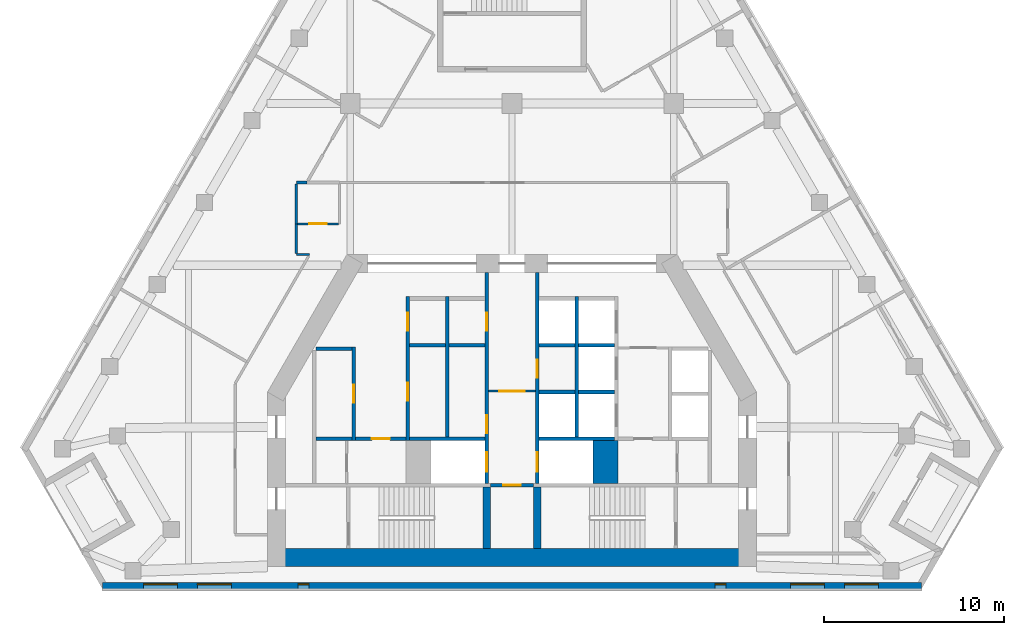
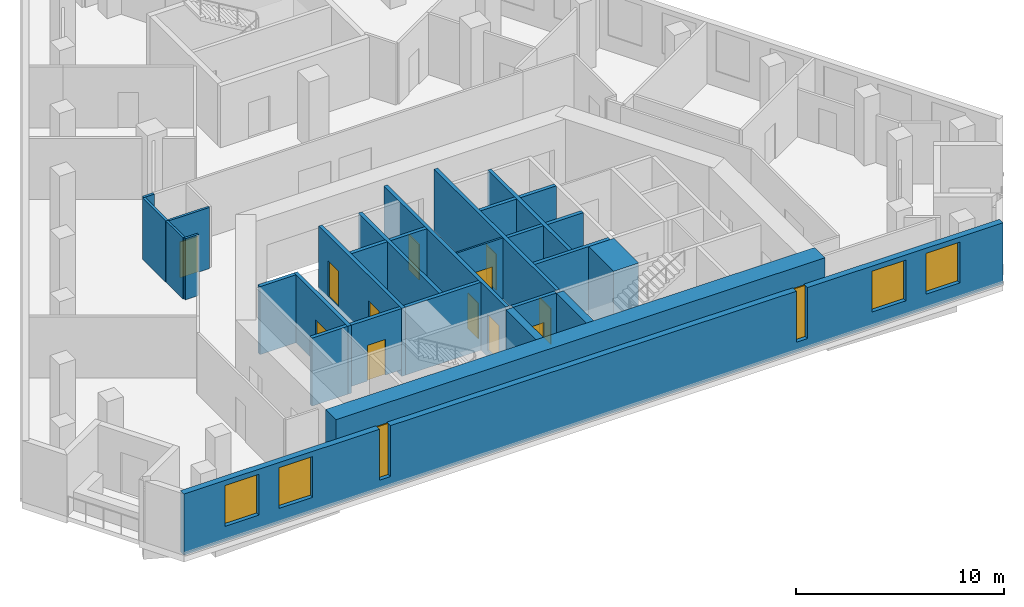
# One storey, part 4 of 9: 29 walls, 12 doors, 6 windows, 18 openings.
"""IFC4 building model written with IfcOpenShell, lengths in metres."""

from ifc_helpers import new_model, si_unit, direction, frame, frame_2d, origin, place, context, subcontext, project, spatial, rectangle, extrude, material, layer, layer_set, type_object, element, fill, save


model = new_model("IFC4")

# Units and contexts
model_context = context("Model", 3, precision=1e-05, world=origin(), true_north=direction((0.0, 1.0)))
body_context = subcontext(model_context, "Body", "Model", "MODEL_VIEW")
ifc_project = project(units=[si_unit("LENGTHUNIT", "METRE"), si_unit("AREAUNIT", "SQUARE_METRE"), si_unit("VOLUMEUNIT", "CUBIC_METRE"), si_unit("PLANEANGLEUNIT", "RADIAN"), si_unit("MASSUNIT", "GRAM", prefix="KILO")], contexts=[model_context])

# Site, building, storey
site_placement = place(None, origin())
site = spatial("IfcSite", under=ifc_project, at=site_placement, CompositionType="ELEMENT")
building_placement = place(site_placement, origin())
building = spatial("IfcBuilding", under=site, at=building_placement, Name="Fogline Exchange Tower", CompositionType="ELEMENT")
storey_placement = place(building_placement, frame((0.0, 0.0, 214.10009765625)))
storey = spatial("IfcBuildingStorey", under=building, at=storey_placement, Name="L48", CompositionType="ELEMENT", Elevation=214.10009765625)

# Wall, opening, door
ifc_material_1 = material(Name="Blockwork partition", Category="masonry")
ifc_layer_1 = layer(ifc_material_1, 0.10009765625)
ifc_layer_set_1 = layer_set([ifc_layer_1], Name="CW10")
wall_type_1 = type_object("IfcWallType", Name="CW10", PredefinedType="PARTITIONING", material=ifc_layer_set_1)
wall_1_placement = place(storey_placement, frame((-1.300048828125, 11.0, 0.0), z_axis=(0.0, 0.0, 1.0), x_axis=(1.0, 0.0, 0.0)))
wall_1 = element("IfcWall", 1, at=wall_1_placement, inside=storey, type_object=wall_type_1, Name="Lift lobby partition", PredefinedType="PARTITIONING", context=body_context, shape_type="SweptSolid", body=[
    extrude(rectangle(XDim=2.60009765625, YDim=0.10009765625, at=frame_2d((1.300048828125, 0.0))), origin(), (0.0, 0.0, 1.0), 3.599853515625),
])
opening_1_placement = place(wall_1_placement, frame((0.60009765625, 0.0, 0.0)))
opening_1 = element("IfcOpeningElement", 2, at=opening_1_placement, cuts=wall_1, Name="Opening T15-C019", PredefinedType="OPENING", context=body_context, shape_type="SweptSolid", body=[
    extrude(rectangle(XDim=1.39990234375, YDim=2.10009765625, at=frame_2d((0.699951171875, 1.050048828125))), frame((0.0, 0.06005859375, 0.0), z_axis=(0.0, -1.0, 0.0), x_axis=(1.0, 0.0, 0.0)), (0.0, 0.0, 1.0), 0.1201171875),
])
ifc_material_2 = material(Name="Steel and timber fire door", Category="steel")
door_type_1 = type_object("IfcDoorType", Name="D-LB1", OperationType="DOUBLE_DOOR_SINGLE_SWING", PredefinedType="DOOR", material=ifc_material_2)
door_1_placement = place(opening_1_placement, frame((1.39990234375, 0.0, 0.0), z_axis=(0.0, 0.0, 1.0), x_axis=(-1.0, 0.0, 0.0)))
door_1 = element("IfcDoor", 3, at=door_1_placement, inside=storey, type_object=door_type_1, Name="Door to firefighting lift lobby", OperationType="DOUBLE_DOOR_SINGLE_SWING", OverallHeight=2.10009765625, OverallWidth=1.39990234375, PredefinedType="DOOR", context=body_context, shape_type="SweptSolid", body=[
    extrude(rectangle(XDim=1.39990234375, YDim=2.10009765625, at=frame_2d((0.699951171875, 1.050048828125))), frame((0.0, 0.02490234375, 0.0), z_axis=(0.0, -1.0, 0.0), x_axis=(1.0, 0.0, 0.0)), (0.0, 0.0, 1.0), 0.050048828125),
])
fill(opening_1, door_1)

# Walls
ifc_material_3 = material(Name="Concrete C60", Category="concrete")
ifc_layer_2 = layer(ifc_material_3, 1.39990234375)
ifc_layer_set_2 = layer_set([ifc_layer_2], Name="CW140")
wall_type_2 = type_object("IfcWallType", Name="CW140", PredefinedType="SOLIDWALL", material=ifc_layer_set_2)
wall_2_placement = place(storey_placement, frame((5.199951171875, 5.85009765625, -0.400146484375), z_axis=(0.0, 0.0, 1.0), x_axis=(0.0, 1.0, 0.0)))
element("IfcWall", 4, at=wall_2_placement, inside=storey, type_object=wall_type_2, Name="Lift shaft block wall", PredefinedType="SOLIDWALL", context=body_context, shape_type="SweptSolid", body=[
    extrude(rectangle(XDim=2.39990234375, YDim=1.39990234375, at=frame_2d((1.199951171875, 0.0))), origin(), (0.0, 0.0, 1.0), 4.0),
])
ifc_material_4 = material(Name="Concrete C40", Category="concrete")
ifc_layer_3 = layer(ifc_material_4, 0.199951171875)
ifc_layer_set_3 = layer_set([ifc_layer_3], Name="CW20")
wall_type_3 = type_object("IfcWallType", Name="CW20", PredefinedType="SOLIDWALL", material=ifc_layer_set_3)
for number, where, z_axis, x_axis, name in (
    (5, (-5.699951171875, 13.550048828125, 0.0), (0.0, 0.0, 1.0), (1.0, 0.0, 0.0), "Service room wall"),
    (6, (-3.5, 13.550048828125, 0.0), (0.0, 0.0, 1.0), (1.0, 0.0, 0.0), "Service room wall"),
):
    element("IfcWall", number, at=place(storey_placement, frame(where, z_axis=z_axis, x_axis=x_axis)), inside=storey, type_object=wall_type_3, Name=name, PredefinedType="SOLIDWALL", context=body_context, shape_type="SweptSolid", body=[
        extrude(rectangle(XDim=2.0, YDim=0.199951171875, at=frame_2d((1.0, 0.0))), origin(), (0.0, 0.0, 1.0), 3.599853515625),
    ])

# Wall, opening, door
wall_3_placement = place(storey_placement, frame((-8.699951171875, 8.35009765625, 0.0), z_axis=(0.0, 0.0, 1.0), x_axis=(1.0, 0.0, 0.0)))
wall_3 = element("IfcWall", 7, at=wall_3_placement, inside=storey, type_object=wall_type_3, Name="WC wall", PredefinedType="SOLIDWALL", context=body_context, shape_type="SweptSolid", body=[
    extrude(rectangle(XDim=2.800048828125, YDim=0.199951171875, at=frame_2d((1.39990234375, 0.0))), origin(), (0.0, 0.0, 1.0), 3.599853515625),
])
opening_2_placement = place(wall_3_placement, frame((0.89990234375, 0.0, 0.0)))
opening_2 = element("IfcOpeningElement", 8, at=opening_2_placement, cuts=wall_3, Name="Opening T15-C008", PredefinedType="OPENING", context=body_context, shape_type="SweptSolid", body=[
    extrude(rectangle(XDim=1.0, YDim=2.10009765625, at=frame_2d((0.5, 1.050048828125))), frame((0.0, 0.10986328125, 0.0), z_axis=(0.0, -1.0, 0.0), x_axis=(1.0, 0.0, 0.0)), (0.0, 0.0, 1.0), 0.219970703125),
])
door_type_2 = type_object("IfcDoorType", Name="D-WC1", OperationType="SINGLE_SWING_LEFT", PredefinedType="DOOR", material=ifc_material_2)
door_2_placement = place(opening_2_placement, frame((1.0, 0.0, 0.0), z_axis=(0.0, 0.0, 1.0), x_axis=(-1.0, 0.0, 0.0)))
door_2 = element("IfcDoor", 9, at=door_2_placement, inside=storey, type_object=door_type_2, Name="Door to Men's WC", OperationType="SINGLE_SWING_LEFT", OverallHeight=2.10009765625, OverallWidth=1.0, PredefinedType="DOOR", context=body_context, shape_type="SweptSolid", body=[
    extrude(rectangle(XDim=1.0, YDim=2.10009765625, at=frame_2d((0.5, 1.050048828125))), frame((0.0, 0.02490234375, 0.0), z_axis=(0.0, -1.0, 0.0), x_axis=(1.0, 0.0, 0.0)), (0.0, 0.0, 1.0), 0.050048828125),
])
fill(opening_2, door_2)

ifc_layer_4 = layer(ifc_material_4, 0.199951171875)
ifc_layer_set_4 = layer_set([ifc_layer_4], Name="CW20R")
wall_type_4 = type_object("IfcWallType", Name="CW20R", PredefinedType="SOLIDWALL", material=ifc_layer_set_4)
wall_4_placement = place(storey_placement, frame((-1.199951171875, 5.75, -0.400146484375), z_axis=(0.0, 0.0, 1.0), x_axis=(1.0, 0.0, 0.0)))
wall_4 = element("IfcWall", 10, at=wall_4_placement, inside=storey, type_object=wall_type_4, Name="Stair enclosure wall", PredefinedType="SOLIDWALL", context=body_context, shape_type="SweptSolid", body=[
    extrude(rectangle(XDim=2.39990234375, YDim=0.199951171875, at=frame_2d((1.199951171875, 0.0))), origin(), (0.0, 0.0, 1.0), 4.0),
])
opening_3_placement = place(wall_4_placement, frame((0.699951171875, 0.0, 0.39990234375)))
opening_3 = element("IfcOpeningElement", 11, at=opening_3_placement, cuts=wall_4, Name="Opening T15-C007", PredefinedType="OPENING", context=body_context, shape_type="SweptSolid", body=[
    extrude(rectangle(XDim=1.0, YDim=2.10009765625, at=frame_2d((0.5, 1.050048828125))), frame((0.0, 0.10986328125, 0.0), z_axis=(0.0, -1.0, 0.0), x_axis=(1.0, 0.0, 0.0)), (0.0, 0.0, 1.0), 0.219970703125),
])
door_type_3 = type_object("IfcDoorType", Name="D-RM1", OperationType="SINGLE_SWING_LEFT", PredefinedType="DOOR", material=ifc_material_2)
door_3_placement = place(opening_3_placement, frame((1.0, 0.0, 0.0), z_axis=(0.0, 0.0, 1.0), x_axis=(-1.0, 0.0, 0.0)))
door_3 = element("IfcDoor", 12, at=door_3_placement, inside=storey, type_object=door_type_3, Name="Door to Stationery Store", OperationType="SINGLE_SWING_RIGHT", OverallHeight=2.10009765625, OverallWidth=1.0, PredefinedType="DOOR", context=body_context, shape_type="SweptSolid", body=[
    extrude(rectangle(XDim=1.0, YDim=2.10009765625, at=frame_2d((0.5, 1.050048828125))), frame((0.0, 0.02490234375, 0.0), z_axis=(0.0, -1.0, 0.0), x_axis=(1.0, 0.0, 0.0)), (0.0, 0.0, 1.0), 0.050048828125),
])
fill(opening_3, door_3)

ifc_layer_5 = layer(ifc_material_4, 0.199951171875)
ifc_layer_set_5 = layer_set([ifc_layer_5], Name="CW20S")
wall_type_5 = type_object("IfcWallType", Name="CW20S", PredefinedType="SOLIDWALL", material=ifc_layer_set_5)
wall_5_placement = place(storey_placement, frame((-8.800048828125, 8.25, -0.400146484375), z_axis=(0.0, 0.0, 1.0), x_axis=(0.0, 1.0, 0.0)))
wall_5 = element("IfcWall", 13, at=wall_5_placement, inside=storey, type_object=wall_type_5, Name="Lift shaft wall", PredefinedType="SOLIDWALL", context=body_context, shape_type="SweptSolid", body=[
    extrude(rectangle(XDim=5.199951171875, YDim=0.199951171875, at=frame_2d((2.60009765625, 0.0))), origin(), (0.0, 0.0, 1.0), 4.0),
])
opening_4_placement = place(wall_5_placement, frame((2.10009765625, 0.0, 0.39990234375)))
opening_4 = element("IfcOpeningElement", 14, at=opening_4_placement, cuts=wall_5, Name="Opening T15-C001", PredefinedType="OPENING", context=body_context, shape_type="SweptSolid", body=[
    extrude(rectangle(XDim=1.0, YDim=2.10009765625, at=frame_2d((0.5, 1.050048828125))), frame((0.0, 0.10986328125, 0.0), z_axis=(0.0, -1.0, 0.0), x_axis=(1.0, 0.0, 0.0)), (0.0, 0.0, 1.0), 0.219970703125),
])
door_4_placement = place(opening_4_placement, origin())
door_4 = element("IfcDoor", 15, at=door_4_placement, inside=storey, type_object=door_type_3, Name="Door to Archive Room", OperationType="SINGLE_SWING_RIGHT", OverallHeight=2.10009765625, OverallWidth=1.0, PredefinedType="DOOR", context=body_context, shape_type="SweptSolid", body=[
    extrude(rectangle(XDim=1.0, YDim=2.10009765625, at=frame_2d((0.5, 1.050048828125))), frame((0.0, 0.02490234375, 0.0), z_axis=(0.0, -1.0, 0.0), x_axis=(1.0, 0.0, 0.0)), (0.0, 0.0, 1.0), 0.050048828125),
])
fill(opening_4, door_4)

# Wall, openings, doors
wall_6_placement = place(storey_placement, frame((-5.800048828125, 8.25, -0.400146484375), z_axis=(0.0, 0.0, 1.0), x_axis=(0.0, 1.0, 0.0)))
wall_6 = element("IfcWall", 16, at=wall_6_placement, inside=storey, type_object=wall_type_5, Name="Lift shaft wall", PredefinedType="SOLIDWALL", context=body_context, shape_type="SweptSolid", body=[
    extrude(rectangle(XDim=8.0, YDim=0.199951171875, at=frame_2d((4.0, 0.0))), origin(), (0.0, 0.0, 1.0), 4.0),
])
opening_5_placement = place(wall_6_placement, frame((2.199951171875, 0.0, 0.39990234375)))
opening_5 = element("IfcOpeningElement", 17, at=opening_5_placement, cuts=wall_6, Name="Opening T15-C002", PredefinedType="OPENING", context=body_context, shape_type="SweptSolid", body=[
    extrude(rectangle(XDim=1.0, YDim=2.10009765625, at=frame_2d((0.5, 1.050048828125))), frame((0.0, 0.10986328125, 0.0), z_axis=(0.0, -1.0, 0.0), x_axis=(1.0, 0.0, 0.0)), (0.0, 0.0, 1.0), 0.219970703125),
])
opening_6_placement = place(wall_6_placement, frame((6.10009765625, 0.0, 0.39990234375)))
opening_6 = element("IfcOpeningElement", 18, at=opening_6_placement, cuts=wall_6, Name="Opening T15-C003", PredefinedType="OPENING", context=body_context, shape_type="SweptSolid", body=[
    extrude(rectangle(XDim=1.0, YDim=2.10009765625, at=frame_2d((0.5, 1.050048828125))), frame((0.0, 0.10986328125, 0.0), z_axis=(0.0, -1.0, 0.0), x_axis=(1.0, 0.0, 0.0)), (0.0, 0.0, 1.0), 0.219970703125),
])
door_5_placement = place(opening_5_placement, frame((1.0, 0.0, 0.0), z_axis=(0.0, 0.0, 1.0), x_axis=(-1.0, 0.0, 0.0)))
door_5 = element("IfcDoor", 19, at=door_5_placement, inside=storey, type_object=door_type_3, Name="Door to Equipment Room", OperationType="SINGLE_SWING_LEFT", OverallHeight=2.10009765625, OverallWidth=1.0, PredefinedType="DOOR", context=body_context, shape_type="SweptSolid", body=[
    extrude(rectangle(XDim=1.0, YDim=2.10009765625, at=frame_2d((0.5, 1.050048828125))), frame((0.0, 0.02490234375, 0.0), z_axis=(0.0, -1.0, 0.0), x_axis=(1.0, 0.0, 0.0)), (0.0, 0.0, 1.0), 0.050048828125),
])
fill(opening_5, door_5)
door_6_placement = place(opening_6_placement, frame((1.0, 0.0, 0.0), z_axis=(0.0, 0.0, 1.0), x_axis=(-1.0, 0.0, 0.0)))
door_6 = element("IfcDoor", 20, at=door_6_placement, inside=storey, type_object=door_type_3, Name="Door to Server Room", OperationType="SINGLE_SWING_RIGHT", OverallHeight=2.10009765625, OverallWidth=1.0, PredefinedType="DOOR", context=body_context, shape_type="SweptSolid", body=[
    extrude(rectangle(XDim=1.0, YDim=2.10009765625, at=frame_2d((0.5, 1.050048828125))), frame((0.0, 0.02490234375, 0.0), z_axis=(0.0, -1.0, 0.0), x_axis=(1.0, 0.0, 0.0)), (0.0, 0.0, 1.0), 0.050048828125),
])
fill(opening_6, door_6)

# Walls
for number, where, z_axis, x_axis, name in (
    (21, (-3.60009765625, 8.449951171875, -0.400146484375), (0.0, 0.0, 1.0), (0.0, 1.0, 0.0), "Lift shaft wall"),
    (22, (3.60009765625, 8.449951171875, -0.400146484375), (0.0, 0.0, 1.0), (0.0, 1.0, 0.0), "Lift shaft wall"),
):
    element("IfcWall", number, at=place(storey_placement, frame(where, z_axis=z_axis, x_axis=x_axis)), inside=storey, type_object=wall_type_5, Name=name, PredefinedType="SOLIDWALL", context=body_context, shape_type="SweptSolid", body=[
        extrude(rectangle(XDim=7.800048828125, YDim=0.199951171875, at=frame_2d((3.89990234375, 0.0))), origin(), (0.0, 0.0, 1.0), 4.0),
    ])

# Wall, openings, doors
wall_7_placement = place(storey_placement, frame((-1.39990234375, 5.85009765625, -0.400146484375), z_axis=(0.0, 0.0, 1.0), x_axis=(0.0, 1.0, 0.0)))
wall_7 = element("IfcWall", 23, at=wall_7_placement, inside=storey, type_object=wall_type_5, Name="Lift lobby wall", PredefinedType="SOLIDWALL", context=body_context, shape_type="SweptSolid", body=[
    extrude(rectangle(XDim=11.75, YDim=0.199951171875, at=frame_2d((5.875, 0.0))), origin(), (0.0, 0.0, 1.0), 4.0),
])
opening_7_placement = place(wall_7_placement, frame((0.64990234375, 0.0, 0.39990234375)))
opening_7 = element("IfcOpeningElement", 24, at=opening_7_placement, cuts=wall_7, Name="Opening T15-LD01", PredefinedType="OPENING", context=body_context, shape_type="SweptSolid", body=[
    extrude(rectangle(XDim=1.10009765625, YDim=2.10009765625, at=frame_2d((0.550048828125, 1.050048828125))), frame((0.0, 0.10986328125, 0.0), z_axis=(0.0, -1.0, 0.0), x_axis=(1.0, 0.0, 0.0)), (0.0, 0.0, 1.0), 0.219970703125),
])
opening_8_placement = place(wall_7_placement, frame((2.800048828125, 0.0, 0.39990234375)))
opening_8 = element("IfcOpeningElement", 25, at=opening_8_placement, cuts=wall_7, Name="Opening T15-C004", PredefinedType="OPENING", context=body_context, shape_type="SweptSolid", body=[
    extrude(rectangle(XDim=1.0, YDim=2.10009765625, at=frame_2d((0.5, 1.050048828125))), frame((0.0, 0.10986328125, 0.0), z_axis=(0.0, -1.0, 0.0), x_axis=(1.0, 0.0, 0.0)), (0.0, 0.0, 1.0), 0.219970703125),
])
opening_9_placement = place(wall_7_placement, frame((8.5, 0.0, 0.39990234375)))
opening_9 = element("IfcOpeningElement", 26, at=opening_9_placement, cuts=wall_7, Name="Opening T15-C005", PredefinedType="OPENING", context=body_context, shape_type="SweptSolid", body=[
    extrude(rectangle(XDim=1.0, YDim=2.10009765625, at=frame_2d((0.5, 1.050048828125))), frame((0.0, 0.10986328125, 0.0), z_axis=(0.0, -1.0, 0.0), x_axis=(1.0, 0.0, 0.0)), (0.0, 0.0, 1.0), 0.219970703125),
])
door_7_placement = place(opening_8_placement, origin())
door_7 = element("IfcDoor", 27, at=door_7_placement, inside=storey, type_object=door_type_3, Name="Door to Library Store", OperationType="SINGLE_SWING_LEFT", OverallHeight=2.10009765625, OverallWidth=1.0, PredefinedType="DOOR", context=body_context, shape_type="SweptSolid", body=[
    extrude(rectangle(XDim=1.0, YDim=2.10009765625, at=frame_2d((0.5, 1.050048828125))), frame((0.0, 0.02490234375, 0.0), z_axis=(0.0, -1.0, 0.0), x_axis=(1.0, 0.0, 0.0)), (0.0, 0.0, 1.0), 0.050048828125),
])
fill(opening_8, door_7)
door_8_placement = place(opening_9_placement, origin())
door_8 = element("IfcDoor", 28, at=door_8_placement, inside=storey, type_object=door_type_3, Name="Door to Library Store", OperationType="SINGLE_SWING_LEFT", OverallHeight=2.10009765625, OverallWidth=1.0, PredefinedType="DOOR", context=body_context, shape_type="SweptSolid", body=[
    extrude(rectangle(XDim=1.0, YDim=2.10009765625, at=frame_2d((0.5, 1.050048828125))), frame((0.0, 0.02490234375, 0.0), z_axis=(0.0, -1.0, 0.0), x_axis=(1.0, 0.0, 0.0)), (0.0, 0.0, 1.0), 0.050048828125),
])
fill(opening_9, door_8)
door_type_4 = type_object("IfcDoorType", Name="LD2", OperationType="SLIDING_TO_RIGHT", PredefinedType="DOOR", material=ifc_material_2)
door_9_placement = place(opening_7_placement, origin())
door_9 = element("IfcDoor", 29, at=door_9_placement, inside=storey, type_object=door_type_4, Name="Landing door FF1", OperationType="SLIDING_TO_RIGHT", OverallHeight=2.10009765625, OverallWidth=1.10009765625, PredefinedType="DOOR", context=body_context, shape_type="SweptSolid", body=[
    extrude(rectangle(XDim=1.10009765625, YDim=2.10009765625, at=frame_2d((0.550048828125, 1.050048828125))), frame((0.0, 0.02490234375, 0.0), z_axis=(0.0, -1.0, 0.0), x_axis=(1.0, 0.0, 0.0)), (0.0, 0.0, 1.0), 0.050048828125),
])
fill(opening_7, door_9)

wall_8_placement = place(storey_placement, frame((1.39990234375, 5.85009765625, -0.400146484375), z_axis=(0.0, 0.0, 1.0), x_axis=(0.0, 1.0, 0.0)))
wall_8 = element("IfcWall", 30, at=wall_8_placement, inside=storey, type_object=wall_type_5, Name="Lift lobby wall", PredefinedType="SOLIDWALL", context=body_context, shape_type="SweptSolid", body=[
    extrude(rectangle(XDim=11.75, YDim=0.199951171875, at=frame_2d((5.875, 0.0))), origin(), (0.0, 0.0, 1.0), 4.0),
])
opening_10_placement = place(wall_8_placement, frame((0.64990234375, 0.0, 0.39990234375)))
opening_10 = element("IfcOpeningElement", 31, at=opening_10_placement, cuts=wall_8, Name="Opening T15-LD05", PredefinedType="OPENING", context=body_context, shape_type="SweptSolid", body=[
    extrude(rectangle(XDim=1.10009765625, YDim=2.10009765625, at=frame_2d((0.550048828125, 1.050048828125))), frame((0.0, 0.10986328125, 0.0), z_axis=(0.0, -1.0, 0.0), x_axis=(1.0, 0.0, 0.0)), (0.0, 0.0, 1.0), 0.219970703125),
])
opening_11_placement = place(wall_8_placement, frame((5.89990234375, 0.0, 0.39990234375)))
opening_11 = element("IfcOpeningElement", 32, at=opening_11_placement, cuts=wall_8, Name="Opening T15-C006", PredefinedType="OPENING", context=body_context, shape_type="SweptSolid", body=[
    extrude(rectangle(XDim=1.0, YDim=2.10009765625, at=frame_2d((0.5, 1.050048828125))), frame((0.0, 0.10986328125, 0.0), z_axis=(0.0, -1.0, 0.0), x_axis=(1.0, 0.0, 0.0)), (0.0, 0.0, 1.0), 0.219970703125),
])
door_10_placement = place(opening_11_placement, frame((1.0, 0.0, 0.0), z_axis=(0.0, 0.0, 1.0), x_axis=(-1.0, 0.0, 0.0)))
door_10 = element("IfcDoor", 33, at=door_10_placement, inside=storey, type_object=door_type_3, Name="Door to Plant Room", OperationType="SINGLE_SWING_RIGHT", OverallHeight=2.10009765625, OverallWidth=1.0, PredefinedType="DOOR", context=body_context, shape_type="SweptSolid", body=[
    extrude(rectangle(XDim=1.0, YDim=2.10009765625, at=frame_2d((0.5, 1.050048828125))), frame((0.0, 0.02490234375, 0.0), z_axis=(0.0, -1.0, 0.0), x_axis=(1.0, 0.0, 0.0)), (0.0, 0.0, 1.0), 0.050048828125),
])
fill(opening_11, door_10)
door_11_placement = place(opening_10_placement, origin())
door_11 = element("IfcDoor", 34, at=door_11_placement, inside=storey, type_object=door_type_4, Name="Landing door FF2", OperationType="SLIDING_TO_RIGHT", OverallHeight=2.10009765625, OverallWidth=1.10009765625, PredefinedType="DOOR", context=body_context, shape_type="SweptSolid", body=[
    extrude(rectangle(XDim=1.10009765625, YDim=2.10009765625, at=frame_2d((0.550048828125, 1.050048828125))), frame((0.0, 0.02490234375, 0.0), z_axis=(0.0, -1.0, 0.0), x_axis=(1.0, 0.0, 0.0)), (0.0, 0.0, 1.0), 0.050048828125),
])
fill(opening_10, door_11)

# Walls
wall_9_placement = place(storey_placement, frame((-10.89990234375, 8.35009765625, -0.400146484375), z_axis=(0.0, 0.0, 1.0), x_axis=(1.0, 0.0, 0.0)))
element("IfcWall", 35, at=wall_9_placement, inside=storey, type_object=wall_type_5, Name="Lift shaft wall", PredefinedType="SOLIDWALL", context=body_context, shape_type="SweptSolid", body=[
    extrude(rectangle(XDim=2.0, YDim=0.199951171875, at=frame_2d((1.0, 0.0))), origin(), (0.0, 0.0, 1.0), 4.0),
])
for number, where, z_axis, x_axis, name in (
    (36, (-5.699951171875, 8.35009765625, -0.400146484375), (0.0, 0.0, 1.0), (1.0, 0.0, 0.0), "Lift shaft wall"),
    (37, (1.5, 8.35009765625, -0.400146484375), (0.0, 0.0, 1.0), (1.0, 0.0, 0.0), "Lift shaft wall"),
):
    element("IfcWall", number, at=place(storey_placement, frame(where, z_axis=z_axis, x_axis=x_axis)), inside=storey, type_object=wall_type_5, Name=name, PredefinedType="SOLIDWALL", context=body_context, shape_type="SweptSolid", body=[
        extrude(rectangle(XDim=4.199951171875, YDim=0.199951171875, at=frame_2d((2.10009765625, 0.0))), origin(), (0.0, 0.0, 1.0), 4.0),
    ])
for number, where, z_axis, x_axis, name in (
    (38, (-10.89990234375, 13.35009765625, -0.400146484375), (0.0, 0.0, 1.0), (1.0, 0.0, 0.0), "Lift shaft wall"),
    (39, (3.699951171875, 10.949951171875, -0.400146484375), (0.0, 0.0, 1.0), (1.0, 0.0, 0.0), "Lift shaft wall"),
    (40, (3.699951171875, 13.550048828125, -0.400146484375), (0.0, 0.0, 1.0), (1.0, 0.0, 0.0), "Lift shaft wall"),
    (41, (1.5, 10.949951171875, -0.400146484375), (0.0, 0.0, 1.0), (1.0, 0.0, 0.0), "Lift shaft wall"),
    (42, (1.5, 13.550048828125, -0.400146484375), (0.0, 0.0, 1.0), (1.0, 0.0, 0.0), "Lift shaft wall"),
):
    element("IfcWall", number, at=place(storey_placement, frame(where, z_axis=z_axis, x_axis=x_axis)), inside=storey, type_object=wall_type_5, Name=name, PredefinedType="SOLIDWALL", context=body_context, shape_type="SweptSolid", body=[
        extrude(rectangle(XDim=2.0, YDim=0.199951171875, at=frame_2d((1.0, 0.0))), origin(), (0.0, 0.0, 1.0), 4.0),
    ])
ifc_layer_6 = layer(ifc_material_4, 0.39990234375)
ifc_layer_set_6 = layer_set([ifc_layer_6], Name="CW40R")
wall_type_6 = type_object("IfcWallType", Name="CW40R", PredefinedType="SOLIDWALL", material=ifc_layer_set_6)
for number, where, z_axis, x_axis, name in (
    (43, (-1.39990234375, 2.25, -0.400146484375), (0.0, 0.0, 1.0), (0.0, 1.0, 0.0), "Stair and lift shaft wall"),
    (44, (1.39990234375, 2.25, -0.400146484375), (0.0, 0.0, 1.0), (0.0, 1.0, 0.0), "Stair and lift shaft wall"),
):
    element("IfcWall", number, at=place(storey_placement, frame(where, z_axis=z_axis, x_axis=x_axis)), inside=storey, type_object=wall_type_6, Name=name, PredefinedType="SOLIDWALL", context=body_context, shape_type="SweptSolid", body=[
        extrude(rectangle(XDim=3.39990234375, YDim=0.39990234375, at=frame_2d((1.699951171875, 0.0))), origin(), (0.0, 0.0, 1.0), 4.0),
    ])

# Wall, openings, windows
ifc_material_5 = material(Name="Brick masonry", Category="masonry")
ifc_layer_7 = layer(ifc_material_5, 0.340087890625)
ifc_layer_set_7 = layer_set([ifc_layer_7], Name="FW1")
wall_type_7 = type_object("IfcWallType", Name="FW1", PredefinedType="SOLIDWALL", material=ifc_layer_set_7)
wall_10_placement = place(storey_placement, frame((-22.78662109375, 0.169921875, 0.0), z_axis=(0.0, 0.0, 1.0), x_axis=(1.0, 0.0, 0.0)))
wall_10 = element("IfcWall", 45, at=wall_10_placement, inside=storey, type_object=wall_type_7, Name="Brick wall L48 S", PredefinedType="SOLIDWALL", context=body_context, shape_type="SweptSolid", body=[
    extrude(rectangle(XDim=45.5732421875, YDim=0.340087890625, at=frame_2d((22.78662109375, 0.0))), origin(), (0.0, 0.0, 1.0), 3.599853515625),
])
opening_12_placement = place(wall_10_placement, frame((2.28662109375, 0.0, 0.89990234375)))
opening_12 = element("IfcOpeningElement", 46, at=opening_12_placement, cuts=wall_10, Name="Opening W1", PredefinedType="OPENING", context=body_context, shape_type="SweptSolid", body=[
    extrude(rectangle(XDim=1.885009765625, YDim=2.39990234375, at=frame_2d((0.9423828125, 1.199951171875))), frame((0.0, 0.18017578125, 0.0), z_axis=(0.0, -1.0, 0.0), x_axis=(1.0, 0.0, 0.0)), (0.0, 0.0, 1.0), 0.360107421875),
])
opening_13_placement = place(wall_10_placement, frame((5.28662109375, 0.0, 0.89990234375)))
opening_13 = element("IfcOpeningElement", 47, at=opening_13_placement, cuts=wall_10, Name="Opening W1", PredefinedType="OPENING", context=body_context, shape_type="SweptSolid", body=[
    extrude(rectangle(XDim=1.885009765625, YDim=2.39990234375, at=frame_2d((0.9423828125, 1.199951171875))), frame((0.0, 0.18017578125, 0.0), z_axis=(0.0, -1.0, 0.0), x_axis=(1.0, 0.0, 0.0)), (0.0, 0.0, 1.0), 0.360107421875),
])
opening_14_placement = place(wall_10_placement, frame((38.28662109375, 0.0, 0.89990234375)))
opening_14 = element("IfcOpeningElement", 48, at=opening_14_placement, cuts=wall_10, Name="Opening W1", PredefinedType="OPENING", context=body_context, shape_type="SweptSolid", body=[
    extrude(rectangle(XDim=1.885009765625, YDim=2.39990234375, at=frame_2d((0.9423828125, 1.199951171875))), frame((0.0, 0.18017578125, 0.0), z_axis=(0.0, -1.0, 0.0), x_axis=(1.0, 0.0, 0.0)), (0.0, 0.0, 1.0), 0.360107421875),
])
opening_15_placement = place(wall_10_placement, frame((41.28662109375, 0.0, 0.89990234375)))
opening_15 = element("IfcOpeningElement", 49, at=opening_15_placement, cuts=wall_10, Name="Opening W1", PredefinedType="OPENING", context=body_context, shape_type="SweptSolid", body=[
    extrude(rectangle(XDim=1.885009765625, YDim=2.39990234375, at=frame_2d((0.9423828125, 1.199951171875))), frame((0.0, 0.18017578125, 0.0), z_axis=(0.0, -1.0, 0.0), x_axis=(1.0, 0.0, 0.0)), (0.0, 0.0, 1.0), 0.360107421875),
])
opening_16_placement = place(wall_10_placement, frame((10.886474609375, 0.0, 0.60009765625)))
opening_16 = element("IfcOpeningElement", 50, at=opening_16_placement, cuts=wall_10, Name="Opening W5", PredefinedType="OPENING", context=body_context, shape_type="SweptSolid", body=[
    extrude(rectangle(XDim=0.60009765625, YDim=3.0, at=frame_2d((0.300048828125, 1.5))), frame((0.0, 0.18017578125, 0.0), z_axis=(0.0, -1.0, 0.0), x_axis=(1.0, 0.0, 0.0)), (0.0, 0.0, 1.0), 0.360107421875),
])
opening_17_placement = place(wall_10_placement, frame((34.08642578125, 0.0, 0.60009765625)))
opening_17 = element("IfcOpeningElement", 51, at=opening_17_placement, cuts=wall_10, Name="Opening W5", PredefinedType="OPENING", context=body_context, shape_type="SweptSolid", body=[
    extrude(rectangle(XDim=0.60009765625, YDim=3.0, at=frame_2d((0.300048828125, 1.5))), frame((0.0, 0.18017578125, 0.0), z_axis=(0.0, -1.0, 0.0), x_axis=(1.0, 0.0, 0.0)), (0.0, 0.0, 1.0), 0.360107421875),
])
ifc_material_6 = material(Name="Aluminium and glass", Category="aluminium")
window_type_1 = type_object("IfcWindowType", Name="W1", PartitioningType="SINGLE_PANEL", PredefinedType="WINDOW", material=ifc_material_6)
window_1_placement = place(opening_12_placement, origin())
window_1 = element("IfcWindow", 52, at=window_1_placement, inside=storey, type_object=window_type_1, Name="W1 W1", OverallHeight=2.39990234375, OverallWidth=1.885009765625, PartitioningType="SINGLE_PANEL", PredefinedType="WINDOW", context=body_context, shape_type="SweptSolid", body=[
    extrude(rectangle(XDim=1.885009765625, YDim=2.39990234375, at=frame_2d((0.9423828125, 1.199951171875))), frame((0.0, 0.110107421875, 0.0), z_axis=(0.0, -1.0, 0.0), x_axis=(1.0, 0.0, 0.0)), (0.0, 0.0, 1.0), 0.06005859375),
])
fill(opening_12, window_1)
window_2_placement = place(opening_13_placement, origin())
window_2 = element("IfcWindow", 53, at=window_2_placement, inside=storey, type_object=window_type_1, Name="W1 W1", OverallHeight=2.39990234375, OverallWidth=1.885009765625, PartitioningType="SINGLE_PANEL", PredefinedType="WINDOW", context=body_context, shape_type="SweptSolid", body=[
    extrude(rectangle(XDim=1.885009765625, YDim=2.39990234375, at=frame_2d((0.9423828125, 1.199951171875))), frame((0.0, 0.110107421875, 0.0), z_axis=(0.0, -1.0, 0.0), x_axis=(1.0, 0.0, 0.0)), (0.0, 0.0, 1.0), 0.06005859375),
])
fill(opening_13, window_2)
window_3_placement = place(opening_14_placement, origin())
window_3 = element("IfcWindow", 54, at=window_3_placement, inside=storey, type_object=window_type_1, Name="W1 W1", OverallHeight=2.39990234375, OverallWidth=1.885009765625, PartitioningType="SINGLE_PANEL", PredefinedType="WINDOW", context=body_context, shape_type="SweptSolid", body=[
    extrude(rectangle(XDim=1.885009765625, YDim=2.39990234375, at=frame_2d((0.9423828125, 1.199951171875))), frame((0.0, 0.110107421875, 0.0), z_axis=(0.0, -1.0, 0.0), x_axis=(1.0, 0.0, 0.0)), (0.0, 0.0, 1.0), 0.06005859375),
])
fill(opening_14, window_3)
window_4_placement = place(opening_15_placement, origin())
window_4 = element("IfcWindow", 55, at=window_4_placement, inside=storey, type_object=window_type_1, Name="W1 W1", OverallHeight=2.39990234375, OverallWidth=1.885009765625, PartitioningType="SINGLE_PANEL", PredefinedType="WINDOW", context=body_context, shape_type="SweptSolid", body=[
    extrude(rectangle(XDim=1.885009765625, YDim=2.39990234375, at=frame_2d((0.9423828125, 1.199951171875))), frame((0.0, 0.110107421875, 0.0), z_axis=(0.0, -1.0, 0.0), x_axis=(1.0, 0.0, 0.0)), (0.0, 0.0, 1.0), 0.06005859375),
])
fill(opening_15, window_4)
window_type_2 = type_object("IfcWindowType", Name="W5", PartitioningType="SINGLE_PANEL", PredefinedType="WINDOW", material=ifc_material_6)
window_5_placement = place(opening_16_placement, origin())
window_5 = element("IfcWindow", 56, at=window_5_placement, inside=storey, type_object=window_type_2, Name="W5 W5", OverallHeight=3.0, OverallWidth=0.60009765625, PartitioningType="SINGLE_PANEL", PredefinedType="WINDOW", context=body_context, shape_type="SweptSolid", body=[
    extrude(rectangle(XDim=0.60009765625, YDim=3.0, at=frame_2d((0.300048828125, 1.5))), frame((0.0, 0.110107421875, 0.0), z_axis=(0.0, -1.0, 0.0), x_axis=(1.0, 0.0, 0.0)), (0.0, 0.0, 1.0), 0.06005859375),
])
fill(opening_16, window_5)
window_6_placement = place(opening_17_placement, origin())
window_6 = element("IfcWindow", 57, at=window_6_placement, inside=storey, type_object=window_type_2, Name="W5 W5", OverallHeight=3.0, OverallWidth=0.60009765625, PartitioningType="SINGLE_PANEL", PredefinedType="WINDOW", context=body_context, shape_type="SweptSolid", body=[
    extrude(rectangle(XDim=0.60009765625, YDim=3.0, at=frame_2d((0.300048828125, 1.5))), frame((0.0, 0.110107421875, 0.0), z_axis=(0.0, -1.0, 0.0), x_axis=(1.0, 0.0, 0.0)), (0.0, 0.0, 1.0), 0.06005859375),
])
fill(opening_17, window_6)

# Wall, opening, door
ifc_material_7 = material(Name="Plasterboard corridor partition with mineral wool, 2 layers each side")
ifc_layer_8 = layer(ifc_material_7, 0.125)
ifc_layer_set_8 = layer_set([ifc_layer_8], Name="PW2")
wall_type_8 = type_object("IfcWallType", Name="PW2", PredefinedType="PARTITIONING", material=ifc_layer_set_8)
wall_11_placement = place(storey_placement, frame((-11.925048828125, 20.300048828125, 0.0), z_axis=(0.0, 0.0, 1.0), x_axis=(1.0, 0.0, 0.0)))
wall_11 = element("IfcWall", 58, at=wall_11_placement, inside=storey, type_object=wall_type_8, Name="wall-L48-W008", PredefinedType="PARTITIONING", context=body_context, shape_type="SweptSolid", body=[
    extrude(rectangle(XDim=2.262451171875, YDim=0.125, at=frame_2d((1.13134765625, 0.0))), origin(), (0.0, 0.0, 1.0), 3.599853515625),
])
opening_18_placement = place(wall_11_placement, frame((0.63134765625, 0.0, 0.0)))
opening_18 = element("IfcOpeningElement", 59, at=opening_18_placement, cuts=wall_11, Name="Opening T15-D005", PredefinedType="OPENING", context=body_context, shape_type="SweptSolid", body=[
    extrude(rectangle(XDim=1.0, YDim=2.10009765625, at=frame_2d((0.5, 1.050048828125))), frame((0.0, 0.072509765625, 0.0), z_axis=(0.0, -1.0, 0.0), x_axis=(1.0, 0.0, 0.0)), (0.0, 0.0, 1.0), 0.14501953125),
])
ifc_material_8 = material(Name="Fire-rated timber door leaf with steel frame", Category="steel")
door_type_5 = type_object("IfcDoorType", Name="D3", OperationType="SINGLE_SWING_LEFT", PredefinedType="DOOR", material=ifc_material_8)
door_12_placement = place(opening_18_placement, origin())
door_12 = element("IfcDoor", 60, at=door_12_placement, inside=storey, type_object=door_type_5, Name="door-L48-D005", OperationType="SINGLE_SWING_LEFT", OverallHeight=2.10009765625, OverallWidth=1.0, PredefinedType="DOOR", context=body_context, shape_type="SweptSolid", body=[
    extrude(rectangle(XDim=1.0, YDim=2.10009765625, at=frame_2d((0.5, 1.050048828125))), frame((0.0, 0.02490234375, 0.0), z_axis=(0.0, -1.0, 0.0), x_axis=(1.0, 0.0, 0.0)), (0.0, 0.0, 1.0), 0.050048828125),
])
fill(opening_18, door_12)

# Walls
wall_12_placement = place(storey_placement, frame((-11.259033203125, 18.60009765625, 0.0), z_axis=(0.0, 0.0, 1.0), x_axis=(-1.0, 0.0, 0.0)))
element("IfcWall", 61, at=wall_12_placement, inside=storey, type_object=wall_type_8, Name="wall-L48-W010", PredefinedType="PARTITIONING", context=body_context, shape_type="SweptSolid", body=[
    extrude(rectangle(XDim=0.740966796875, YDim=0.125, at=frame_2d((0.37060546875, 0.0))), origin(), (0.0, 0.0, 1.0), 3.599853515625),
])
wall_13_placement = place(storey_placement, frame((-12.0, 18.66259765625, 0.0), z_axis=(0.0, 0.0, 1.0), x_axis=(0.0, 1.0, 0.0)))
element("IfcWall", 62, at=wall_13_placement, inside=storey, type_object=wall_type_8, Name="wall-L48-W011", PredefinedType="PARTITIONING", context=body_context, shape_type="SweptSolid", body=[
    extrude(rectangle(XDim=1.637451171875, YDim=0.125, at=frame_2d((0.81884765625, 0.0))), origin(), (0.0, 0.0, 1.0), 3.599853515625),
])
ifc_material_9 = material(Name="Plasterboard demising partition with mineral wool and acoustic board")
ifc_layer_9 = layer(ifc_material_9, 0.14990234375)
ifc_layer_set_9 = layer_set([ifc_layer_9], Name="PW3")
wall_type_9 = type_object("IfcWallType", Name="PW3", PredefinedType="PARTITIONING", material=ifc_layer_set_9)
wall_14_placement = place(storey_placement, frame((-12.0, 20.300048828125, 0.0), z_axis=(0.0, 0.0, 1.0), x_axis=(0.0, 1.0, 0.0)))
element("IfcWall", 63, at=wall_14_placement, inside=storey, type_object=wall_type_9, Name="wall-L48-W043", PredefinedType="PARTITIONING", context=body_context, shape_type="SweptSolid", body=[
    extrude(rectangle(XDim=2.224853515625, YDim=0.14990234375, at=frame_2d((1.1123046875, 0.0))), origin(), (0.0, 0.0, 1.0), 3.599853515625),
])
wall_15_placement = place(storey_placement, frame((-12.0, 22.60009765625, 0.0), z_axis=(0.0, 0.0, 1.0), x_axis=(1.0, 0.0, 0.0)))
element("IfcWall", 64, at=wall_15_placement, inside=storey, type_object=wall_type_9, Name="wall-L48-W044", PredefinedType="PARTITIONING", context=body_context, shape_type="SweptSolid", body=[
    extrude(rectangle(XDim=0.58251953125, YDim=0.14990234375, at=frame_2d((0.291259765625, 0.0))), origin(), (0.0, 0.0, 1.0), 3.599853515625),
])
ifc_layer_10 = layer(ifc_material_3, 1.0)
ifc_layer_set_10 = layer_set([ifc_layer_10], Name="SW03")
wall_type_10 = type_object("IfcWallType", Name="SW03", PredefinedType="SHEAR", material=ifc_layer_set_10)
wall_16_placement = place(storey_placement, frame((-13.60009765625, 1.75, 0.0), z_axis=(0.0, 0.0, 1.0), x_axis=(1.0, 0.0, 0.0)))
element("IfcWall", 65, at=wall_16_placement, inside=storey, type_object=wall_type_10, Name="L48-W901", PredefinedType="SHEAR", context=body_context, shape_type="SweptSolid", body=[
    extrude(rectangle(XDim=27.2001953125, YDim=1.0, at=frame_2d((13.60009765625, 0.0))), origin(), (0.0, 0.0, 1.0), 4.0),
])

save(model, "model.ifc")
